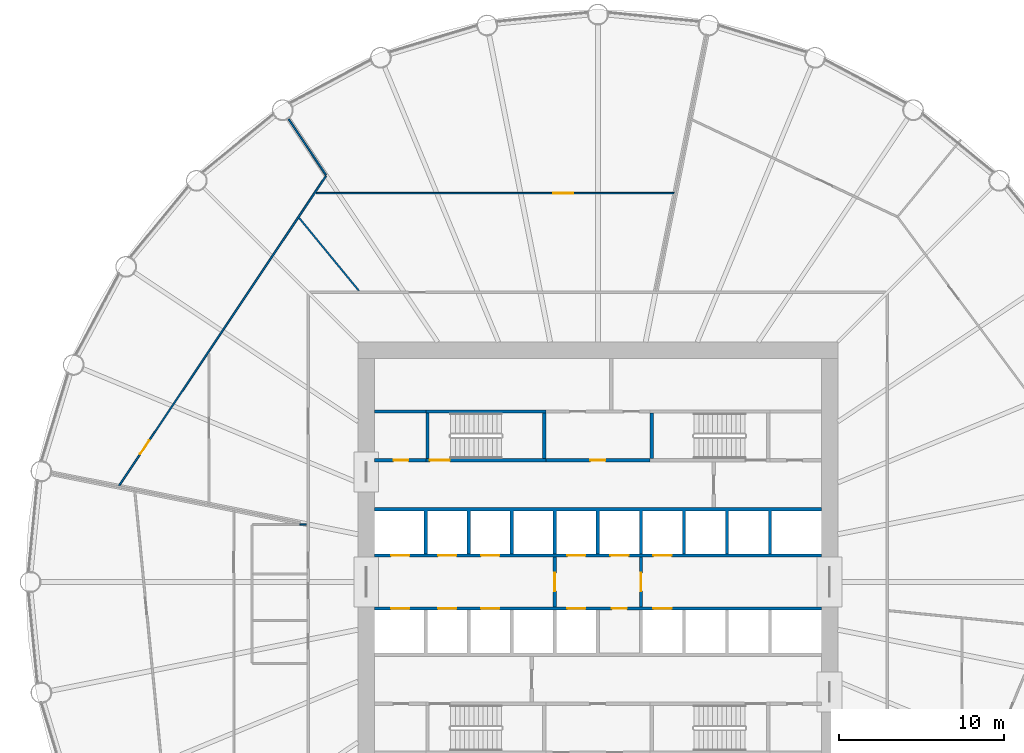
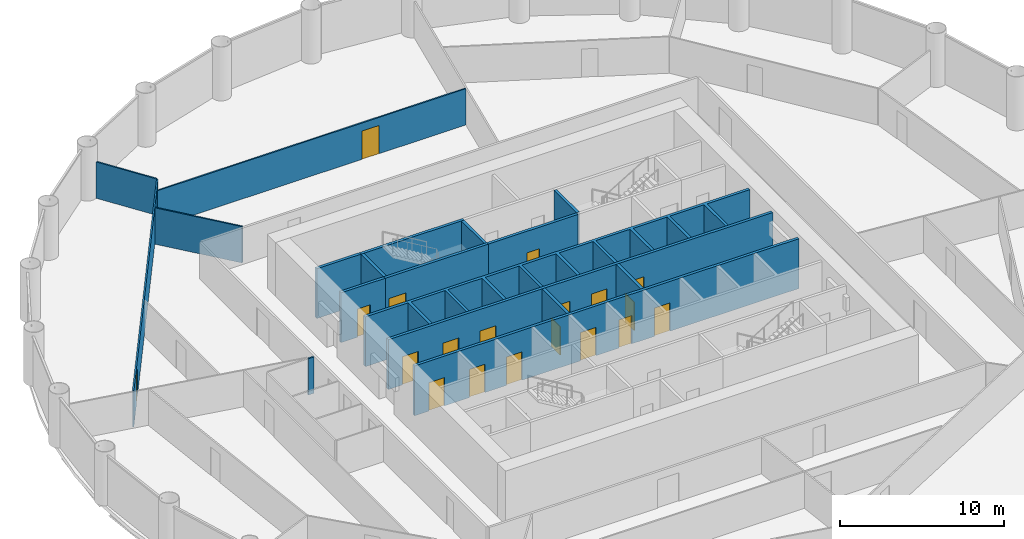
# One storey, part 6 of 9: 19 doors, 18 walls, 19 openings.
"""IFC4 building model written with IfcOpenShell, lengths in metres."""

from ifc_helpers import new_model, si_unit, direction, frame, frame_2d, origin, place, context, subcontext, project, spatial, polyline, rectangle, outline, extrude, material, layer, layer_set, type_object, element, fill, save


model = new_model("IFC4")

# Units and contexts
model_context = context("Model", 3, precision=1e-05, world=origin(), true_north=direction((0.0, 1.0)))
body_context = subcontext(model_context, "Body", "Model", "MODEL_VIEW")
ifc_project = project(units=[si_unit("LENGTHUNIT", "METRE"), si_unit("AREAUNIT", "SQUARE_METRE"), si_unit("VOLUMEUNIT", "CUBIC_METRE"), si_unit("PLANEANGLEUNIT", "RADIAN"), si_unit("MASSUNIT", "GRAM", prefix="KILO")], contexts=[model_context])

# Site, building, storey
site_placement = place(None, origin())
site = spatial("IfcSite", under=ifc_project, at=site_placement, CompositionType="ELEMENT")
building_placement = place(site_placement, origin())
building = spatial("IfcBuilding", under=site, at=building_placement, Name="Corvane Civic Tower", CompositionType="ELEMENT")
storey_placement = place(building_placement, frame((0.0, 0.0, 98.5)))
storey = spatial("IfcBuildingStorey", under=building, at=storey_placement, Name="L22", CompositionType="ELEMENT", Elevation=98.5)

# Wall, openings, doors
ifc_material_1 = material(Name="Concrete C30/37", Category="concrete")
ifc_layer_1 = layer(ifc_material_1, 0.199951171875)
ifc_layer_set_1 = layer_set([ifc_layer_1], Name="Concrete C30/37")
wall_type_1 = type_object("IfcWallType", Name="CR-WALL-200", PredefinedType="PARTITIONING", material=ifc_layer_set_1)
wall_1_placement = place(storey_placement, frame((-13.5, -1.60009765625, 0.0), z_axis=(0.0, 0.0, 1.0), x_axis=(1.0, 0.0, 0.0)))
wall_1 = element("IfcWall", 1, at=wall_1_placement, inside=storey, type_object=wall_type_1, Name="L22 lift shaft wall", PredefinedType="PARTITIONING", context=body_context, shape_type="SweptSolid", body=[
    extrude(rectangle(XDim=27.0, YDim=0.199951171875, at=frame_2d((13.5, 0.0))), origin(), (0.0, 0.0, 1.0), 3.699951171875),
])
opening_1_placement = place(wall_1_placement, frame((1.0, 0.0, 0.0)))
opening_1 = element("IfcOpeningElement", 2, at=opening_1_placement, cuts=wall_1, Name="Opening LD", PredefinedType="OPENING", context=body_context, shape_type="SweptSolid", body=[
    extrude(rectangle(XDim=1.10009765625, YDim=2.10009765625, at=frame_2d((0.550048828125, 1.050048828125))), frame((0.0, 0.10986328125, 0.0), z_axis=(0.0, -1.0, 0.0), x_axis=(1.0, 0.0, 0.0)), (0.0, 0.0, 1.0), 0.219970703125),
])
opening_2_placement = place(wall_1_placement, frame((3.85009765625, 0.0, 0.0)))
opening_2 = element("IfcOpeningElement", 3, at=opening_2_placement, cuts=wall_1, Name="Opening LD", PredefinedType="OPENING", context=body_context, shape_type="SweptSolid", body=[
    extrude(rectangle(XDim=1.10009765625, YDim=2.10009765625, at=frame_2d((0.550048828125, 1.050048828125))), frame((0.0, 0.10986328125, 0.0), z_axis=(0.0, -1.0, 0.0), x_axis=(1.0, 0.0, 0.0)), (0.0, 0.0, 1.0), 0.219970703125),
])
opening_3_placement = place(wall_1_placement, frame((6.449951171875, 0.0, 0.0)))
opening_3 = element("IfcOpeningElement", 4, at=opening_3_placement, cuts=wall_1, Name="Opening LD", PredefinedType="OPENING", context=body_context, shape_type="SweptSolid", body=[
    extrude(rectangle(XDim=1.10009765625, YDim=2.10009765625, at=frame_2d((0.550048828125, 1.050048828125))), frame((0.0, 0.10986328125, 0.0), z_axis=(0.0, -1.0, 0.0), x_axis=(1.0, 0.0, 0.0)), (0.0, 0.0, 1.0), 0.219970703125),
])
opening_4_placement = place(wall_1_placement, frame((11.64990234375, 0.0, 0.0)))
opening_4 = element("IfcOpeningElement", 5, at=opening_4_placement, cuts=wall_1, Name="Opening LD", PredefinedType="OPENING", context=body_context, shape_type="SweptSolid", body=[
    extrude(rectangle(XDim=1.10009765625, YDim=2.10009765625, at=frame_2d((0.550048828125, 1.050048828125))), frame((0.0, 0.10986328125, 0.0), z_axis=(0.0, -1.0, 0.0), x_axis=(1.0, 0.0, 0.0)), (0.0, 0.0, 1.0), 0.219970703125),
])
opening_5_placement = place(wall_1_placement, frame((14.35009765625, 0.0, 0.0)))
opening_5 = element("IfcOpeningElement", 6, at=opening_5_placement, cuts=wall_1, Name="Opening L22.C01", PredefinedType="OPENING", context=body_context, shape_type="SweptSolid", body=[
    extrude(rectangle(XDim=0.89990234375, YDim=2.10009765625, at=frame_2d((0.449951171875, 1.050048828125))), frame((0.0, 0.10986328125, 0.0), z_axis=(0.0, -1.0, 0.0), x_axis=(1.0, 0.0, 0.0)), (0.0, 0.0, 1.0), 0.219970703125),
])
opening_6_placement = place(wall_1_placement, frame((16.85009765625, 0.0, 0.0)))
opening_6 = element("IfcOpeningElement", 7, at=opening_6_placement, cuts=wall_1, Name="Opening LD", PredefinedType="OPENING", context=body_context, shape_type="SweptSolid", body=[
    extrude(rectangle(XDim=1.10009765625, YDim=2.10009765625, at=frame_2d((0.550048828125, 1.050048828125))), frame((0.0, 0.10986328125, 0.0), z_axis=(0.0, -1.0, 0.0), x_axis=(1.0, 0.0, 0.0)), (0.0, 0.0, 1.0), 0.219970703125),
])
ifc_material_2 = material(Name="Steel fire door leaf", Category="steel")
door_type_1 = type_object("IfcDoorType", Name="CR-DOOR-900", OperationType="SINGLE_SWING_LEFT", PredefinedType="DOOR", material=ifc_material_2)
door_1_placement = place(opening_5_placement, origin())
door_1 = element("IfcDoor", 8, at=door_1_placement, inside=storey, type_object=door_type_1, Name="L22 door", OperationType="SINGLE_SWING_LEFT", OverallHeight=2.10009765625, OverallWidth=0.89990234375, PredefinedType="DOOR", context=body_context, shape_type="SweptSolid", body=[
    extrude(rectangle(XDim=0.89990234375, YDim=2.10009765625, at=frame_2d((0.449951171875, 1.050048828125))), frame((0.0, 0.02490234375, 0.0), z_axis=(0.0, -1.0, 0.0), x_axis=(1.0, 0.0, 0.0)), (0.0, 0.0, 1.0), 0.050048828125),
])
fill(opening_5, door_1)
ifc_material_3 = material(Name="Stainless steel 316 door leaves", Category="steel")
door_type_2 = type_object("IfcDoorType", Name="LD", OperationType="DOUBLE_DOOR_SLIDING", PredefinedType="DOOR", material=ifc_material_3)
door_2_placement = place(opening_1_placement, origin())
door_2 = element("IfcDoor", 9, at=door_2_placement, inside=storey, type_object=door_type_2, Name="L22 landing door", OperationType="DOUBLE_DOOR_SLIDING", OverallHeight=2.10009765625, OverallWidth=1.10009765625, PredefinedType="DOOR", context=body_context, shape_type="SweptSolid", body=[
    extrude(rectangle(XDim=1.10009765625, YDim=2.10009765625, at=frame_2d((0.550048828125, 1.050048828125))), frame((0.0, 0.02490234375, 0.0), z_axis=(0.0, -1.0, 0.0), x_axis=(1.0, 0.0, 0.0)), (0.0, 0.0, 1.0), 0.050048828125),
])
fill(opening_1, door_2)
door_3_placement = place(opening_2_placement, origin())
door_3 = element("IfcDoor", 10, at=door_3_placement, inside=storey, type_object=door_type_2, Name="L22 landing door", OperationType="DOUBLE_DOOR_SLIDING", OverallHeight=2.10009765625, OverallWidth=1.10009765625, PredefinedType="DOOR", context=body_context, shape_type="SweptSolid", body=[
    extrude(rectangle(XDim=1.10009765625, YDim=2.10009765625, at=frame_2d((0.550048828125, 1.050048828125))), frame((0.0, 0.02490234375, 0.0), z_axis=(0.0, -1.0, 0.0), x_axis=(1.0, 0.0, 0.0)), (0.0, 0.0, 1.0), 0.050048828125),
])
fill(opening_2, door_3)
door_4_placement = place(opening_3_placement, origin())
door_4 = element("IfcDoor", 11, at=door_4_placement, inside=storey, type_object=door_type_2, Name="L22 landing door", OperationType="DOUBLE_DOOR_SLIDING", OverallHeight=2.10009765625, OverallWidth=1.10009765625, PredefinedType="DOOR", context=body_context, shape_type="SweptSolid", body=[
    extrude(rectangle(XDim=1.10009765625, YDim=2.10009765625, at=frame_2d((0.550048828125, 1.050048828125))), frame((0.0, 0.02490234375, 0.0), z_axis=(0.0, -1.0, 0.0), x_axis=(1.0, 0.0, 0.0)), (0.0, 0.0, 1.0), 0.050048828125),
])
fill(opening_3, door_4)
door_5_placement = place(opening_4_placement, origin())
door_5 = element("IfcDoor", 12, at=door_5_placement, inside=storey, type_object=door_type_2, Name="L22 landing door", OperationType="DOUBLE_DOOR_SLIDING", OverallHeight=2.10009765625, OverallWidth=1.10009765625, PredefinedType="DOOR", context=body_context, shape_type="SweptSolid", body=[
    extrude(rectangle(XDim=1.10009765625, YDim=2.10009765625, at=frame_2d((0.550048828125, 1.050048828125))), frame((0.0, 0.02490234375, 0.0), z_axis=(0.0, -1.0, 0.0), x_axis=(1.0, 0.0, 0.0)), (0.0, 0.0, 1.0), 0.050048828125),
])
fill(opening_4, door_5)
door_6_placement = place(opening_6_placement, origin())
door_6 = element("IfcDoor", 13, at=door_6_placement, inside=storey, type_object=door_type_2, Name="L22 landing door", OperationType="DOUBLE_DOOR_SLIDING", OverallHeight=2.10009765625, OverallWidth=1.10009765625, PredefinedType="DOOR", context=body_context, shape_type="SweptSolid", body=[
    extrude(rectangle(XDim=1.10009765625, YDim=2.10009765625, at=frame_2d((0.550048828125, 1.050048828125))), frame((0.0, 0.02490234375, 0.0), z_axis=(0.0, -1.0, 0.0), x_axis=(1.0, 0.0, 0.0)), (0.0, 0.0, 1.0), 0.050048828125),
])
fill(opening_6, door_6)

wall_2_placement = place(storey_placement, frame((-13.5, 1.60009765625, 0.0), z_axis=(0.0, 0.0, 1.0), x_axis=(1.0, 0.0, 0.0)))
wall_2 = element("IfcWall", 14, at=wall_2_placement, inside=storey, type_object=wall_type_1, Name="L22 lift shaft wall", PredefinedType="PARTITIONING", context=body_context, shape_type="SweptSolid", body=[
    extrude(rectangle(XDim=27.0, YDim=0.199951171875, at=frame_2d((13.5, 0.0))), origin(), (0.0, 0.0, 1.0), 3.699951171875),
])
opening_7_placement = place(wall_2_placement, frame((1.0, 0.0, 0.0)))
opening_7 = element("IfcOpeningElement", 15, at=opening_7_placement, cuts=wall_2, Name="Opening LD", PredefinedType="OPENING", context=body_context, shape_type="SweptSolid", body=[
    extrude(rectangle(XDim=1.10009765625, YDim=2.10009765625, at=frame_2d((0.550048828125, 1.050048828125))), frame((0.0, 0.10986328125, 0.0), z_axis=(0.0, -1.0, 0.0), x_axis=(1.0, 0.0, 0.0)), (0.0, 0.0, 1.0), 0.219970703125),
])
opening_8_placement = place(wall_2_placement, frame((3.85009765625, 0.0, 0.0)))
opening_8 = element("IfcOpeningElement", 16, at=opening_8_placement, cuts=wall_2, Name="Opening LD", PredefinedType="OPENING", context=body_context, shape_type="SweptSolid", body=[
    extrude(rectangle(XDim=1.10009765625, YDim=2.10009765625, at=frame_2d((0.550048828125, 1.050048828125))), frame((0.0, 0.10986328125, 0.0), z_axis=(0.0, -1.0, 0.0), x_axis=(1.0, 0.0, 0.0)), (0.0, 0.0, 1.0), 0.219970703125),
])
opening_9_placement = place(wall_2_placement, frame((6.449951171875, 0.0, 0.0)))
opening_9 = element("IfcOpeningElement", 17, at=opening_9_placement, cuts=wall_2, Name="Opening LD", PredefinedType="OPENING", context=body_context, shape_type="SweptSolid", body=[
    extrude(rectangle(XDim=1.10009765625, YDim=2.10009765625, at=frame_2d((0.550048828125, 1.050048828125))), frame((0.0, 0.10986328125, 0.0), z_axis=(0.0, -1.0, 0.0), x_axis=(1.0, 0.0, 0.0)), (0.0, 0.0, 1.0), 0.219970703125),
])
opening_10_placement = place(wall_2_placement, frame((11.64990234375, 0.0, 0.0)))
opening_10 = element("IfcOpeningElement", 18, at=opening_10_placement, cuts=wall_2, Name="Opening LD", PredefinedType="OPENING", context=body_context, shape_type="SweptSolid", body=[
    extrude(rectangle(XDim=1.10009765625, YDim=2.10009765625, at=frame_2d((0.550048828125, 1.050048828125))), frame((0.0, 0.10986328125, 0.0), z_axis=(0.0, -1.0, 0.0), x_axis=(1.0, 0.0, 0.0)), (0.0, 0.0, 1.0), 0.219970703125),
])
opening_11_placement = place(wall_2_placement, frame((14.25, 0.0, 0.0)))
opening_11 = element("IfcOpeningElement", 19, at=opening_11_placement, cuts=wall_2, Name="Opening LD", PredefinedType="OPENING", context=body_context, shape_type="SweptSolid", body=[
    extrude(rectangle(XDim=1.10009765625, YDim=2.10009765625, at=frame_2d((0.550048828125, 1.050048828125))), frame((0.0, 0.10986328125, 0.0), z_axis=(0.0, -1.0, 0.0), x_axis=(1.0, 0.0, 0.0)), (0.0, 0.0, 1.0), 0.219970703125),
])
opening_12_placement = place(wall_2_placement, frame((16.85009765625, 0.0, 0.0)))
opening_12 = element("IfcOpeningElement", 20, at=opening_12_placement, cuts=wall_2, Name="Opening LD", PredefinedType="OPENING", context=body_context, shape_type="SweptSolid", body=[
    extrude(rectangle(XDim=1.10009765625, YDim=2.10009765625, at=frame_2d((0.550048828125, 1.050048828125))), frame((0.0, 0.10986328125, 0.0), z_axis=(0.0, -1.0, 0.0), x_axis=(1.0, 0.0, 0.0)), (0.0, 0.0, 1.0), 0.219970703125),
])
door_7_placement = place(opening_7_placement, origin())
door_7 = element("IfcDoor", 21, at=door_7_placement, inside=storey, type_object=door_type_2, Name="L22 landing door", OperationType="DOUBLE_DOOR_SLIDING", OverallHeight=2.10009765625, OverallWidth=1.10009765625, PredefinedType="DOOR", context=body_context, shape_type="SweptSolid", body=[
    extrude(rectangle(XDim=1.10009765625, YDim=2.10009765625, at=frame_2d((0.550048828125, 1.050048828125))), frame((0.0, 0.02490234375, 0.0), z_axis=(0.0, -1.0, 0.0), x_axis=(1.0, 0.0, 0.0)), (0.0, 0.0, 1.0), 0.050048828125),
])
fill(opening_7, door_7)
door_8_placement = place(opening_8_placement, origin())
door_8 = element("IfcDoor", 22, at=door_8_placement, inside=storey, type_object=door_type_2, Name="L22 landing door", OperationType="DOUBLE_DOOR_SLIDING", OverallHeight=2.10009765625, OverallWidth=1.10009765625, PredefinedType="DOOR", context=body_context, shape_type="SweptSolid", body=[
    extrude(rectangle(XDim=1.10009765625, YDim=2.10009765625, at=frame_2d((0.550048828125, 1.050048828125))), frame((0.0, 0.02490234375, 0.0), z_axis=(0.0, -1.0, 0.0), x_axis=(1.0, 0.0, 0.0)), (0.0, 0.0, 1.0), 0.050048828125),
])
fill(opening_8, door_8)
door_9_placement = place(opening_9_placement, origin())
door_9 = element("IfcDoor", 23, at=door_9_placement, inside=storey, type_object=door_type_2, Name="L22 landing door", OperationType="DOUBLE_DOOR_SLIDING", OverallHeight=2.10009765625, OverallWidth=1.10009765625, PredefinedType="DOOR", context=body_context, shape_type="SweptSolid", body=[
    extrude(rectangle(XDim=1.10009765625, YDim=2.10009765625, at=frame_2d((0.550048828125, 1.050048828125))), frame((0.0, 0.02490234375, 0.0), z_axis=(0.0, -1.0, 0.0), x_axis=(1.0, 0.0, 0.0)), (0.0, 0.0, 1.0), 0.050048828125),
])
fill(opening_9, door_9)
door_10_placement = place(opening_10_placement, origin())
door_10 = element("IfcDoor", 24, at=door_10_placement, inside=storey, type_object=door_type_2, Name="L22 landing door", OperationType="DOUBLE_DOOR_SLIDING", OverallHeight=2.10009765625, OverallWidth=1.10009765625, PredefinedType="DOOR", context=body_context, shape_type="SweptSolid", body=[
    extrude(rectangle(XDim=1.10009765625, YDim=2.10009765625, at=frame_2d((0.550048828125, 1.050048828125))), frame((0.0, 0.02490234375, 0.0), z_axis=(0.0, -1.0, 0.0), x_axis=(1.0, 0.0, 0.0)), (0.0, 0.0, 1.0), 0.050048828125),
])
fill(opening_10, door_10)
door_11_placement = place(opening_11_placement, origin())
door_11 = element("IfcDoor", 25, at=door_11_placement, inside=storey, type_object=door_type_2, Name="L22 landing door", OperationType="DOUBLE_DOOR_SLIDING", OverallHeight=2.10009765625, OverallWidth=1.10009765625, PredefinedType="DOOR", context=body_context, shape_type="SweptSolid", body=[
    extrude(rectangle(XDim=1.10009765625, YDim=2.10009765625, at=frame_2d((0.550048828125, 1.050048828125))), frame((0.0, 0.02490234375, 0.0), z_axis=(0.0, -1.0, 0.0), x_axis=(1.0, 0.0, 0.0)), (0.0, 0.0, 1.0), 0.050048828125),
])
fill(opening_11, door_11)
door_12_placement = place(opening_12_placement, origin())
door_12 = element("IfcDoor", 26, at=door_12_placement, inside=storey, type_object=door_type_2, Name="L22 landing door", OperationType="DOUBLE_DOOR_SLIDING", OverallHeight=2.10009765625, OverallWidth=1.10009765625, PredefinedType="DOOR", context=body_context, shape_type="SweptSolid", body=[
    extrude(rectangle(XDim=1.10009765625, YDim=2.10009765625, at=frame_2d((0.550048828125, 1.050048828125))), frame((0.0, 0.02490234375, 0.0), z_axis=(0.0, -1.0, 0.0), x_axis=(1.0, 0.0, 0.0)), (0.0, 0.0, 1.0), 0.050048828125),
])
fill(opening_12, door_12)

# Wall, opening, door
wall_3_placement = place(storey_placement, frame((-13.5, 7.35009765625, 0.0), z_axis=(0.0, 0.0, 1.0), x_axis=(1.0, 0.0, 0.0)))
wall_3 = element("IfcWall", 27, at=wall_3_placement, inside=storey, type_object=wall_type_1, Name="L22 core partition wall", PredefinedType="PARTITIONING", context=body_context, shape_type="SweptSolid", body=[
    extrude(rectangle(XDim=3.10009765625, YDim=0.199951171875, at=frame_2d((1.550048828125, 0.0))), origin(), (0.0, 0.0, 1.0), 3.699951171875),
])
opening_13_placement = place(wall_3_placement, frame((1.14990234375, 0.0, 0.0)))
opening_13 = element("IfcOpeningElement", 28, at=opening_13_placement, cuts=wall_3, Name="Opening L22.C08", PredefinedType="OPENING", context=body_context, shape_type="SweptSolid", body=[
    extrude(rectangle(XDim=0.89990234375, YDim=2.10009765625, at=frame_2d((0.449951171875, 1.050048828125))), frame((0.0, 0.10986328125, 0.0), z_axis=(0.0, -1.0, 0.0), x_axis=(1.0, 0.0, 0.0)), (0.0, 0.0, 1.0), 0.219970703125),
])
door_13_placement = place(opening_13_placement, origin())
door_13 = element("IfcDoor", 29, at=door_13_placement, inside=storey, type_object=door_type_1, Name="L22 door", OperationType="SINGLE_SWING_LEFT", OverallHeight=2.10009765625, OverallWidth=0.89990234375, PredefinedType="DOOR", context=body_context, shape_type="SweptSolid", body=[
    extrude(rectangle(XDim=0.89990234375, YDim=2.10009765625, at=frame_2d((0.449951171875, 1.050048828125))), frame((0.0, 0.02490234375, 0.0), z_axis=(0.0, -1.0, 0.0), x_axis=(1.0, 0.0, 0.0)), (0.0, 0.0, 1.0), 0.050048828125),
])
fill(opening_13, door_13)

wall_4_placement = place(storey_placement, frame((-3.14990234375, 7.35009765625, 0.0), z_axis=(0.0, 0.0, 1.0), x_axis=(1.0, 0.0, 0.0)))
wall_4 = element("IfcWall", 30, at=wall_4_placement, inside=storey, type_object=wall_type_1, Name="L22 core partition wall", PredefinedType="PARTITIONING", context=body_context, shape_type="SweptSolid", body=[
    extrude(rectangle(XDim=6.2998046875, YDim=0.199951171875, at=frame_2d((3.14990234375, 0.0))), origin(), (0.0, 0.0, 1.0), 3.699951171875),
])
opening_14_placement = place(wall_4_placement, frame((2.699951171875, 0.0, 0.0)))
opening_14 = element("IfcOpeningElement", 31, at=opening_14_placement, cuts=wall_4, Name="Opening L22.C02", PredefinedType="OPENING", context=body_context, shape_type="SweptSolid", body=[
    extrude(rectangle(XDim=0.89990234375, YDim=2.10009765625, at=frame_2d((0.449951171875, 1.050048828125))), frame((0.0, 0.10986328125, 0.0), z_axis=(0.0, -1.0, 0.0), x_axis=(1.0, 0.0, 0.0)), (0.0, 0.0, 1.0), 0.219970703125),
])
door_14_placement = place(opening_14_placement, origin())
door_14 = element("IfcDoor", 32, at=door_14_placement, inside=storey, type_object=door_type_1, Name="L22 door", OperationType="SINGLE_SWING_LEFT", OverallHeight=2.10009765625, OverallWidth=0.89990234375, PredefinedType="DOOR", context=body_context, shape_type="SweptSolid", body=[
    extrude(rectangle(XDim=0.89990234375, YDim=2.10009765625, at=frame_2d((0.449951171875, 1.050048828125))), frame((0.0, 0.02490234375, 0.0), z_axis=(0.0, -1.0, 0.0), x_axis=(1.0, 0.0, 0.0)), (0.0, 0.0, 1.0), 0.050048828125),
])
fill(opening_14, door_14)

wall_5_placement = place(storey_placement, frame((-2.60009765625, -1.5, 0.0), z_axis=(0.0, 0.0, 1.0), x_axis=(0.0, 1.0, 0.0)))
wall_5 = element("IfcWall", 33, at=wall_5_placement, inside=storey, type_object=wall_type_1, Name="L22 firefighting lobby wall", PredefinedType="PARTITIONING", context=body_context, shape_type="SweptSolid", body=[
    extrude(rectangle(XDim=3.0, YDim=0.199951171875, at=frame_2d((1.5, 0.0))), origin(), (0.0, 0.0, 1.0), 3.699951171875),
])
opening_15_placement = place(wall_5_placement, frame((0.949951171875, 0.0, 0.0)))
opening_15 = element("IfcOpeningElement", 34, at=opening_15_placement, cuts=wall_5, Name="Opening L22.C16", PredefinedType="OPENING", context=body_context, shape_type="SweptSolid", body=[
    extrude(rectangle(XDim=1.10009765625, YDim=2.10009765625, at=frame_2d((0.550048828125, 1.050048828125))), frame((0.0, 0.10986328125, 0.0), z_axis=(0.0, -1.0, 0.0), x_axis=(1.0, 0.0, 0.0)), (0.0, 0.0, 1.0), 0.219970703125),
])
ifc_material_4 = material(Name="Steel fire door leaf", Category="steel")
door_type_3 = type_object("IfcDoorType", Name="CR-DOOR-FFL-1100", OperationType="SINGLE_SWING_LEFT", PredefinedType="DOOR", material=ifc_material_4)
door_15_placement = place(opening_15_placement, origin())
door_15 = element("IfcDoor", 35, at=door_15_placement, inside=storey, type_object=door_type_3, Name="L22 lobby door", OperationType="SINGLE_SWING_LEFT", OverallHeight=2.10009765625, OverallWidth=1.10009765625, PredefinedType="DOOR", context=body_context, shape_type="SweptSolid", body=[
    extrude(rectangle(XDim=1.10009765625, YDim=2.10009765625, at=frame_2d((0.550048828125, 1.050048828125))), frame((0.0, 0.02490234375, 0.0), z_axis=(0.0, -1.0, 0.0), x_axis=(1.0, 0.0, 0.0)), (0.0, 0.0, 1.0), 0.050048828125),
])
fill(opening_15, door_15)

wall_6_placement = place(storey_placement, frame((2.60009765625, -1.5, 0.0), z_axis=(0.0, 0.0, 1.0), x_axis=(0.0, 1.0, 0.0)))
wall_6 = element("IfcWall", 36, at=wall_6_placement, inside=storey, type_object=wall_type_1, Name="L22 firefighting lobby wall", PredefinedType="PARTITIONING", context=body_context, shape_type="SweptSolid", body=[
    extrude(rectangle(XDim=3.0, YDim=0.199951171875, at=frame_2d((1.5, 0.0))), origin(), (0.0, 0.0, 1.0), 3.699951171875),
])
opening_16_placement = place(wall_6_placement, frame((0.949951171875, 0.0, 0.0)))
opening_16 = element("IfcOpeningElement", 37, at=opening_16_placement, cuts=wall_6, Name="Opening L22.C17", PredefinedType="OPENING", context=body_context, shape_type="SweptSolid", body=[
    extrude(rectangle(XDim=1.10009765625, YDim=2.10009765625, at=frame_2d((0.550048828125, 1.050048828125))), frame((0.0, 0.10986328125, 0.0), z_axis=(0.0, -1.0, 0.0), x_axis=(1.0, 0.0, 0.0)), (0.0, 0.0, 1.0), 0.219970703125),
])
door_16_placement = place(opening_16_placement, origin())
door_16 = element("IfcDoor", 38, at=door_16_placement, inside=storey, type_object=door_type_3, Name="L22 lobby door", OperationType="SINGLE_SWING_LEFT", OverallHeight=2.10009765625, OverallWidth=1.10009765625, PredefinedType="DOOR", context=body_context, shape_type="SweptSolid", body=[
    extrude(rectangle(XDim=1.10009765625, YDim=2.10009765625, at=frame_2d((0.550048828125, 1.050048828125))), frame((0.0, 0.02490234375, 0.0), z_axis=(0.0, -1.0, 0.0), x_axis=(1.0, 0.0, 0.0)), (0.0, 0.0, 1.0), 0.050048828125),
])
fill(opening_16, door_16)

# Walls
wall_7_placement = place(storey_placement, origin())
element("IfcWall", 39, at=wall_7_placement, inside=storey, type_object=wall_type_1, Name="L22 core partition wall", PredefinedType="PARTITIONING", context=body_context, shape_type="SweptSolid", body=[
    extrude(outline(polyline([(-13.5, 10.199951171875), (-13.5, 10.39990234375), (-10.39990234375, 10.39990234375), (-10.39990234375, 10.199951171875), (-13.5, 10.199951171875)])), origin(), (0.0, 0.0, 1.0), 3.699951171875),
])
wall_8_placement = place(storey_placement, origin())
element("IfcWall", 40, at=wall_8_placement, inside=storey, type_object=wall_type_1, Name="L22 core partition wall", PredefinedType="PARTITIONING", context=body_context, shape_type="SweptSolid", body=[
    extrude(outline(polyline([(-5.10009765625, 4.300048828125), (-5.10009765625, 1.699951171875), (-5.300048828125, 1.699951171875), (-5.300048828125, 4.300048828125), (-7.699951171875, 4.300048828125), (-7.699951171875, 1.699951171875), (-7.89990234375, 1.699951171875), (-7.89990234375, 4.300048828125), (-10.300048828125, 4.300048828125), (-10.300048828125, 1.699951171875), (-10.5, 1.699951171875), (-10.5, 4.300048828125), (-13.5, 4.300048828125), (-13.5, 4.5), (13.5, 4.5), (13.5, 4.300048828125), (10.5, 4.300048828125), (10.5, 1.699951171875), (10.300048828125, 1.699951171875), (10.300048828125, 4.300048828125), (7.89990234375, 4.300048828125), (7.89990234375, 1.699951171875), (7.699951171875, 1.699951171875), (7.699951171875, 4.300048828125), (5.300048828125, 4.300048828125), (5.300048828125, 1.699951171875), (5.10009765625, 1.699951171875), (5.10009765625, 4.300048828125), (2.699951171875, 4.300048828125), (2.699951171875, 1.699951171875), (2.5, 1.699951171875), (2.5, 4.300048828125), (0.10009765625, 4.300048828125), (0.10009765625, 1.699951171875), (-0.10009765625, 1.699951171875), (-0.10009765625, 4.300048828125), (-2.5, 4.300048828125), (-2.5, 1.699951171875), (-2.699951171875, 1.699951171875), (-2.699951171875, 4.300048828125), (-5.10009765625, 4.300048828125)])), origin(), (0.0, 0.0, 1.0), 3.699951171875),
])

# Wall, opening, door
ifc_material_5 = material(Name="Plasterboard")
ifc_layer_2 = layer(ifc_material_5, 0.10009765625)
ifc_layer_set_2 = layer_set([ifc_layer_2], Name="Plasterboard")
wall_type_2 = type_object("IfcWallType", Name="Partition 100 plasterboard on studs", PredefinedType="PARTITIONING", material=ifc_layer_set_2)
wall_9_placement = place(storey_placement, frame((-28.934814453125, 5.825927734375, 0.0), z_axis=(0.0, 0.0, 1.0), x_axis=(0.555566129139, 0.831472354413, 0.0)))
wall_9 = element("IfcWall", 41, at=wall_9_placement, inside=storey, type_object=wall_type_2, Name="Partition L22.028", PredefinedType="PARTITIONING", context=body_context, shape_type="SweptSolid", body=[
    extrude(rectangle(XDim=22.50390625, YDim=0.10009765625, at=frame_2d((11.251953125, 0.0))), origin(), (0.0, 0.0, 1.0), 2.699951171875),
])
opening_17_placement = place(wall_9_placement, frame((2.28125, 0.0, 0.0)))
opening_17 = element("IfcOpeningElement", 42, at=opening_17_placement, cuts=wall_9, Name="Opening L22.021", PredefinedType="OPENING", context=body_context, shape_type="SweptSolid", body=[
    extrude(rectangle(XDim=1.0, YDim=2.10009765625, at=frame_2d((0.5, 1.050048828125))), frame((0.0, 0.06005859375, 0.0), z_axis=(0.0, -1.0, 0.0), x_axis=(1.0, 0.0, 0.0)), (0.0, 0.0, 1.0), 0.1201171875),
])
ifc_material_6 = material(Name="Timber", Category="wood")
door_type_4 = type_object("IfcDoorType", Name="Single door 1000", OperationType="NOTDEFINED", PredefinedType="DOOR", material=ifc_material_6)
door_17_placement = place(opening_17_placement, origin())
door_17 = element("IfcDoor", 43, at=door_17_placement, inside=storey, type_object=door_type_4, Name="Door L22.021", OperationType="SINGLE_SWING_LEFT", OverallHeight=2.10009765625, OverallWidth=1.0, PredefinedType="DOOR", context=body_context, shape_type="SweptSolid", body=[
    extrude(rectangle(XDim=1.0, YDim=2.10009765625, at=frame_2d((0.5, 1.050048828125))), frame((0.0, 0.02490234375, 0.0), z_axis=(0.0, -1.0, 0.0), x_axis=(1.0, 0.0, 0.0)), (0.0, 0.0, 1.0), 0.050048828125),
])
fill(opening_17, door_17)

# Wall
wall_10_placement = place(storey_placement, frame((-18.05224609375, 21.996826171875, 0.0), z_axis=(0.0, 0.0, 1.0), x_axis=(0.634381827, -0.773019855872, 0.0)))
element("IfcWall", 44, at=wall_10_placement, inside=storey, type_object=wall_type_2, Name="Partition L22.033", PredefinedType="PARTITIONING", context=body_context, shape_type="SweptSolid", body=[
    extrude(rectangle(XDim=5.67919921875, YDim=0.10009765625, at=frame_2d((2.839599609375, 0.0))), origin(), (0.0, 0.0, 1.0), 2.699951171875),
])

# Wall, opening, door
wall_11_placement = place(storey_placement, frame((-17.031982421875, 23.5, 0.0), z_axis=(0.0, 0.0, 1.0), x_axis=(1.0, 0.0, 0.0)))
wall_11 = element("IfcWall", 45, at=wall_11_placement, inside=storey, type_object=wall_type_2, Name="Partition L22.036", PredefinedType="PARTITIONING", context=body_context, shape_type="SweptSolid", body=[
    extrude(rectangle(XDim=21.6455078125, YDim=0.10009765625, at=frame_2d((10.82275390625, 0.0))), origin(), (0.0, 0.0, 1.0), 2.699951171875),
])
opening_18_placement = place(wall_11_placement, frame((14.346435546875, 0.0, 0.0)))
opening_18 = element("IfcOpeningElement", 46, at=opening_18_placement, cuts=wall_11, Name="Opening L22.023", PredefinedType="OPENING", context=body_context, shape_type="SweptSolid", body=[
    extrude(rectangle(XDim=1.199951171875, YDim=2.10009765625, at=frame_2d((0.60009765625, 1.050048828125))), frame((0.0, 0.06005859375, 0.0), z_axis=(0.0, -1.0, 0.0), x_axis=(1.0, 0.0, 0.0)), (0.0, 0.0, 1.0), 0.1201171875),
])
ifc_material_7 = material(Name="Timber", Category="wood")
door_type_5 = type_object("IfcDoorType", Name="Double door 1200", OperationType="NOTDEFINED", PredefinedType="DOOR", material=ifc_material_7)
door_18_placement = place(opening_18_placement, origin())
door_18 = element("IfcDoor", 47, at=door_18_placement, inside=storey, type_object=door_type_5, Name="Door L22.023", OperationType="DOUBLE_DOOR_SINGLE_SWING", OverallHeight=2.10009765625, OverallWidth=1.199951171875, PredefinedType="DOOR", context=body_context, shape_type="SweptSolid", body=[
    extrude(rectangle(XDim=1.199951171875, YDim=2.10009765625, at=frame_2d((0.60009765625, 1.050048828125))), frame((0.0, 0.02490234375, 0.0), z_axis=(0.0, -1.0, 0.0), x_axis=(1.0, 0.0, 0.0)), (0.0, 0.0, 1.0), 0.050048828125),
])
fill(opening_18, door_18)

# Walls
wall_12_placement = place(storey_placement, frame((-18.703369140625, 27.991455078125, 0.0), z_axis=(0.0, 0.0, 1.0), x_axis=(0.55560960038, -0.831443306525, 0.0)))
element("IfcWall", 48, at=wall_12_placement, inside=storey, type_object=wall_type_2, Name="Partition L22.037", PredefinedType="PARTITIONING", context=body_context, shape_type="SweptSolid", body=[
    extrude(rectangle(XDim=4.08740234375, YDim=0.10009765625, at=frame_2d((2.043701171875, 0.0))), origin(), (0.0, 0.0, 1.0), 2.699951171875),
])
wall_13_placement = place(storey_placement, frame((-18.0078125, 3.48193359375, 0.0), z_axis=(0.0, 0.0, 1.0), x_axis=(1.0, 0.0, 0.0)))
element("IfcWall", 49, at=wall_13_placement, inside=storey, type_object=wall_type_2, Name="Partition L22.039", PredefinedType="PARTITIONING", context=body_context, shape_type="SweptSolid", body=[
    extrude(rectangle(XDim=0.392822265625, YDim=0.10009765625, at=frame_2d((0.1962890625, 0.0))), origin(), (0.0, 0.0, 1.0), 2.699951171875),
])

# Wall, opening, door
ifc_material_8 = material(Name="Concrete C50/60", Category="concrete")
ifc_layer_3 = layer(ifc_material_8, 0.199951171875)
ifc_layer_set_3 = layer_set([ifc_layer_3], Name="Concrete C50/60")
wall_type_3 = type_object("IfcWallType", Name="ST-WALL-200", PredefinedType="SHEAR", material=ifc_layer_set_3)
wall_14_placement = place(storey_placement, frame((-10.39990234375, 7.35009765625, 0.0), z_axis=(0.0, 0.0, 1.0), x_axis=(1.0, 0.0, 0.0)))
wall_14 = element("IfcWall", 50, at=wall_14_placement, inside=storey, type_object=wall_type_3, Name="L22 stair enclosure wall", PredefinedType="SHEAR", context=body_context, shape_type="SweptSolid", body=[
    extrude(rectangle(XDim=7.25, YDim=0.199951171875, at=frame_2d((3.625, 0.0))), origin(), (0.0, 0.0, 1.0), 3.699951171875),
])
opening_19_placement = place(wall_14_placement, frame((0.25, 0.0, 0.0)))
opening_19 = element("IfcOpeningElement", 51, at=opening_19_placement, cuts=wall_14, Name="Opening L22.C13", PredefinedType="OPENING", context=body_context, shape_type="SweptSolid", body=[
    extrude(rectangle(XDim=1.199951171875, YDim=2.10009765625, at=frame_2d((0.60009765625, 1.050048828125))), frame((0.0, 0.10986328125, 0.0), z_axis=(0.0, -1.0, 0.0), x_axis=(1.0, 0.0, 0.0)), (0.0, 0.0, 1.0), 0.219970703125),
])
ifc_material_9 = material(Name="Steel fire door leaf", Category="steel")
door_type_6 = type_object("IfcDoorType", Name="ST-DOOR-1200", OperationType="SINGLE_SWING_RIGHT", PredefinedType="DOOR", material=ifc_material_9)
door_19_placement = place(opening_19_placement, origin())
door_19 = element("IfcDoor", 52, at=door_19_placement, inside=storey, type_object=door_type_6, Name="L22 stair door", OperationType="SINGLE_SWING_RIGHT", OverallHeight=2.10009765625, OverallWidth=1.199951171875, PredefinedType="DOOR", context=body_context, shape_type="SweptSolid", body=[
    extrude(rectangle(XDim=1.199951171875, YDim=2.10009765625, at=frame_2d((0.60009765625, 1.050048828125))), frame((0.0, 0.02490234375, 0.0), z_axis=(0.0, -1.0, 0.0), x_axis=(1.0, 0.0, 0.0)), (0.0, 0.0, 1.0), 0.050048828125),
])
fill(opening_19, door_19)

# Walls
wall_15_placement = place(storey_placement, origin())
element("IfcWall", 53, at=wall_15_placement, inside=storey, type_object=wall_type_3, Name="L22 stair enclosure wall", PredefinedType="SHEAR", context=body_context, shape_type="SweptSolid", body=[
    extrude(outline(polyline([(-3.14990234375, 10.199951171875), (-10.39990234375, 10.199951171875), (-10.39990234375, 10.39990234375), (-3.14990234375, 10.39990234375), (-3.14990234375, 10.199951171875)])), origin(), (0.0, 0.0, 1.0), 3.699951171875),
])
wall_16_placement = place(storey_placement, origin())
element("IfcWall", 54, at=wall_16_placement, inside=storey, type_object=wall_type_3, Name="L22 stair enclosure wall", PredefinedType="SHEAR", context=body_context, shape_type="SweptSolid", body=[
    extrude(outline(polyline([(-3.14990234375, 7.449951171875), (-3.35009765625, 7.449951171875), (-3.35009765625, 10.199951171875), (-3.14990234375, 10.199951171875), (-3.14990234375, 7.449951171875)])), origin(), (0.0, 0.0, 1.0), 3.699951171875),
])
wall_17_placement = place(storey_placement, origin())
element("IfcWall", 55, at=wall_17_placement, inside=storey, type_object=wall_type_3, Name="L22 stair enclosure wall", PredefinedType="SHEAR", context=body_context, shape_type="SweptSolid", body=[
    extrude(outline(polyline([(3.35009765625, 7.449951171875), (3.14990234375, 7.449951171875), (3.14990234375, 10.199951171875), (3.35009765625, 10.199951171875), (3.35009765625, 7.449951171875)])), origin(), (0.0, 0.0, 1.0), 3.699951171875),
])
wall_18_placement = place(storey_placement, origin())
element("IfcWall", 56, at=wall_18_placement, inside=storey, type_object=wall_type_3, Name="L22 stair enclosure wall", PredefinedType="SHEAR", context=body_context, shape_type="SweptSolid", body=[
    extrude(outline(polyline([(-10.199951171875, 7.449951171875), (-10.39990234375, 7.449951171875), (-10.39990234375, 10.199951171875), (-10.199951171875, 10.199951171875), (-10.199951171875, 7.449951171875)])), origin(), (0.0, 0.0, 1.0), 3.699951171875),
])

save(model, "model.ifc")
